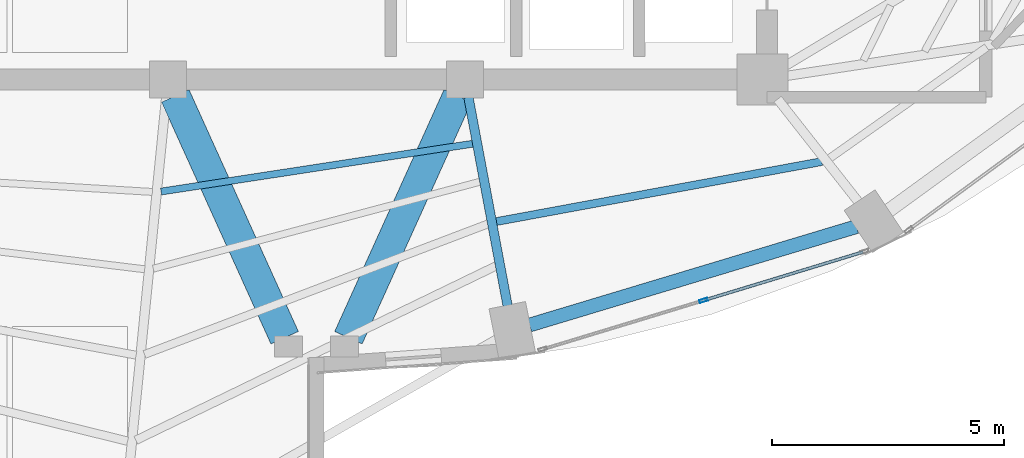
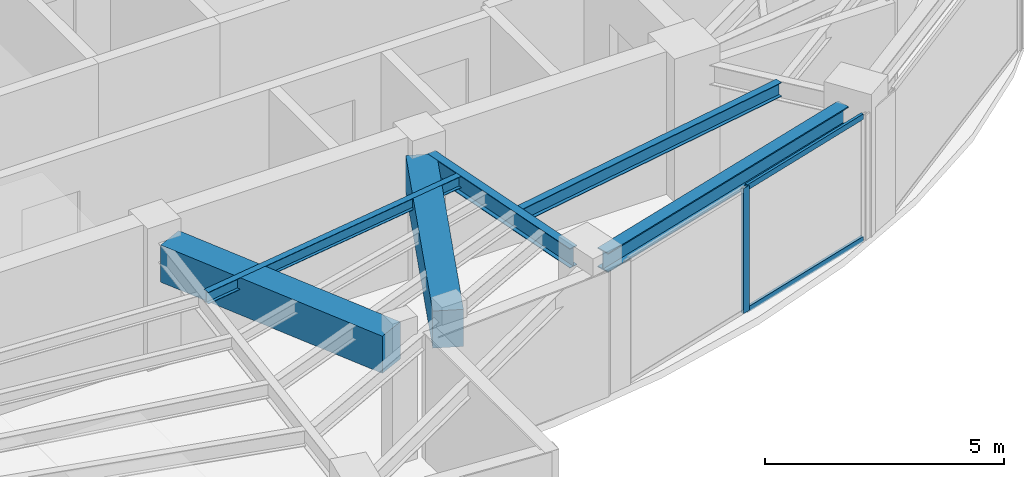
# One storey, part 7 of 22: 6 beams, 3 members, 1 element without a shape of its own.
"""IFC4 building model written with IfcOpenShell, lengths in metres."""

from ifc_helpers import new_model, si_unit, direction, frame, origin, origin_2d, place, context, subcontext, project, spatial, rectangle, hollow_rectangle, i_section, extrude, material, layer, layer_set, material_profile, profile_set, type_object, element, aggregate, save


model = new_model("IFC4")

# Units and contexts
model_context = context("Model", 3, precision=1e-05, world=origin(), true_north=direction((0.0, 1.0)))
body_context = subcontext(model_context, "Body", "Model", "MODEL_VIEW")
ifc_project = project(units=[si_unit("LENGTHUNIT", "METRE"), si_unit("AREAUNIT", "SQUARE_METRE"), si_unit("VOLUMEUNIT", "CUBIC_METRE"), si_unit("PLANEANGLEUNIT", "RADIAN"), si_unit("MASSUNIT", "GRAM", prefix="KILO")], contexts=[model_context])

# Site, building, storey
site_placement = place(None, origin())
site = spatial("IfcSite", under=ifc_project, at=site_placement, CompositionType="ELEMENT")
building_placement = place(site_placement, origin())
building = spatial("IfcBuilding", under=site, at=building_placement, Name="Lazwardi Medical Tower", CompositionType="ELEMENT")
storey_placement = place(building_placement, frame((0.0, 0.0, 242.256103515625)))
storey = spatial("IfcBuildingStorey", under=building, at=storey_placement, Name="L63", CompositionType="ELEMENT", Elevation=242.256103515625)

# Beams
ifc_material_1 = material(Name="Concrete C60/75", Category="concrete")
ifc_material_profile_1 = material_profile(ifc_material_1, rectangle(XDim=0.64990234375, YDim=0.949951171875, at=origin_2d()), Name="RC 650x950")
ifc_profile_set_1 = profile_set([ifc_material_profile_1], Name="Concrete C60/75")
beam_type_1 = type_object("IfcBeamType", Name="BM-CB-RC2", PredefinedType="LINTEL", material=ifc_profile_set_1)
for number, where, z_axis, x_axis, name in (
    (1, (32.95849609375, 20.04931640625, 2.722900390625), (0.412019279944, -0.911175127489, 0.0), (0.911175127489, 0.412019279944, 0.0), "Core coupling lintel CB-02 PL3 L63"),
    (2, (39.04150390625, 20.04931640625, 2.722900390625), (-0.412019279944, -0.911175127489, 0.0), (0.911175127489, -0.412019279944, 0.0), "Core coupling lintel CB-02 PL4 L63"),
):
    element("IfcBeam", number, at=place(storey_placement, frame(where, z_axis=z_axis, x_axis=x_axis)), inside=storey, type_object=beam_type_1, Name=name, PredefinedType="LINTEL", context=body_context, shape_type="SweptSolid", body=[
        extrude(rectangle(XDim=0.64990234375, YDim=0.949951171875, at=origin_2d()), origin(), (0.0, 0.0, 1.0), 5.7158203125),
    ])
ifc_material_2 = material(Name="Steel S355", Category="steel")
ifc_material_profile_2 = material_profile(ifc_material_2, i_section(OverallWidth=0.300048828125, OverallDepth=0.5, WebThickness=0.014404296875, FlangeThickness=0.028076171875, at=origin_2d()), Name="HEB 500")
ifc_profile_set_2 = profile_set([ifc_material_profile_2], Name="Steel S355")
beam_type_2 = type_object("IfcBeamType", Name="BM-RB-Z4", PredefinedType="BEAM", material=ifc_profile_set_2)
beam_1_placement = place(storey_placement, frame((40.58740234375, 15.114013671875, 2.947998046875), z_axis=(0.957544311906, 0.288286126506, 0.0), x_axis=(-0.288286126506, 0.957544311906, 0.0)))
element("IfcBeam", 3, at=beam_1_placement, inside=storey, type_object=beam_type_2, Name="Ring beam RB-05 B01 L63", PredefinedType="BEAM", context=body_context, shape_type="SweptSolid", body=[
    extrude(i_section(OverallWidth=0.300048828125, OverallDepth=0.5, WebThickness=0.014404296875, FlangeThickness=0.028076171875, at=origin_2d()), origin(), (0.0, 0.0, 1.0), 7.3515625),
])
ifc_material_profile_3 = material_profile(ifc_material_2, i_section(OverallWidth=0.199951171875, OverallDepth=0.5, WebThickness=0.01025390625, FlangeThickness=0.01611328125, at=origin_2d()), Name="IPE 500")
ifc_profile_set_3 = profile_set([ifc_material_profile_3], Name="Steel S355")
beam_type_3 = type_object("IfcBeamType", Name="BM-RG-W3", PredefinedType="BEAM", material=ifc_profile_set_3)
beam_2_placement = place(storey_placement, frame((40.115234375, 15.527587890625, 2.947998046875), z_axis=(-0.184633463507, 0.982807450192, 0.0), x_axis=(-0.982807450192, -0.184633463507, 0.0)))
element("IfcBeam", 4, at=beam_2_placement, inside=storey, type_object=beam_type_3, Name="Radial girder RG-04 R01 L63", PredefinedType="BEAM", context=body_context, shape_type="SweptSolid", body=[
    extrude(i_section(OverallWidth=0.199951171875, OverallDepth=0.5, WebThickness=0.01025390625, FlangeThickness=0.01611328125, at=origin_2d()), origin(), (0.0, 0.0, 1.0), 4.572509765625),
])
ifc_material_profile_4 = material_profile(ifc_material_2, i_section(OverallWidth=0.169921875, OverallDepth=0.360107421875, WebThickness=0.008056640625, FlangeThickness=0.0126953125, at=origin_2d()), Name="IPE 360")
ifc_profile_set_4 = profile_set([ifc_material_profile_4], Name="Steel S355")
beam_type_4 = type_object("IfcBeamType", Name="BM-SJ-02", PredefinedType="JOIST", material=ifc_profile_set_4)
beam_3_placement = place(storey_placement, frame((39.87109375, 17.34228515625, 3.017822265625), z_axis=(0.983427965623, 0.181299300688, 0.0), x_axis=(-0.181299300688, 0.983427965623, 0.0)))
element("IfcBeam", 5, at=beam_3_placement, inside=storey, type_object=beam_type_4, Name="Secondary joist SJ-02 R2 B01 L63", PredefinedType="JOIST", context=body_context, shape_type="SweptSolid", body=[
    extrude(i_section(OverallWidth=0.169921875, OverallDepth=0.360107421875, WebThickness=0.008056640625, FlangeThickness=0.0126953125, at=origin_2d()), origin(), (0.0, 0.0, 1.0), 7.127685546875),
])
ifc_material_profile_5 = material_profile(ifc_material_2, i_section(OverallWidth=0.14990234375, OverallDepth=0.300048828125, WebThickness=0.007080078125, FlangeThickness=0.0107421875, at=origin_2d()), Name="IPE 300")
ifc_profile_set_5 = profile_set([ifc_material_profile_5], Name="Steel S355")
beam_type_5 = type_object("IfcBeamType", Name="BM-SJ-03", PredefinedType="JOIST", material=ifc_profile_set_5)
beam_4_placement = place(storey_placement, frame((32.652587890625, 17.989013671875, 3.0478515625), z_axis=(0.988433562862, 0.151654514629, 0.0), x_axis=(-0.151654514629, 0.988433562862, 0.0)))
element("IfcBeam", 6, at=beam_4_placement, inside=storey, type_object=beam_type_5, Name="Secondary joist SJ-03 R4 B16 L63", PredefinedType="JOIST", context=body_context, shape_type="SweptSolid", body=[
    extrude(i_section(OverallWidth=0.14990234375, OverallDepth=0.300048828125, WebThickness=0.007080078125, FlangeThickness=0.0107421875, at=origin_2d()), origin(), (0.0, 0.0, 1.0), 6.788818359375),
])

# Curtain wall, members
ifc_material_3 = material(Name="Anodised bronze aluminium and solar control glazing", Category="aluminium")
ifc_layer = layer(ifc_material_3, 0.18994140625)
ifc_layer_set = layer_set([ifc_layer], Name="Anodised bronze aluminium and solar control glazing")
curtain_wall_type = type_object("IfcCurtainWallType", Name="CW-SYS-04", PredefinedType="NOTDEFINED", material=ifc_layer_set)
curtain_wall_placement = place(storey_placement, origin())
curtain_wall = element("IfcCurtainWall", 7, at=curtain_wall_placement, inside=storey, type_object=curtain_wall_type, Name="L63 Unitised bronze curtain wall CW-04", PredefinedType="NOTDEFINED")
ifc_material_4 = material(Name="Anodised bronze aluminium", Category="aluminium")
ifc_material_profile_6 = material_profile(ifc_material_4, hollow_rectangle(XDim=0.06494140625, YDim=0.179931640625, WallThickness=0.00390625, at=origin_2d()), Name="ALU-MULLION 180x65x4")
ifc_profile_set_6 = profile_set([ifc_material_profile_6], Name="Anodised bronze aluminium")
member_type_1 = type_object("IfcMemberType", Name="CW-MUL-03", PredefinedType="MULLION", material=ifc_profile_set_6)
member_1_placement = place(storey_placement, frame((44.33642578125, 15.644775390625, 0.0), z_axis=(0.0, 0.0, 1.0), x_axis=(-0.290581889515, 0.956850126972, 0.0)))
member_1 = element("IfcMember", 8, at=member_1_placement, type_object=member_type_1, Name="CW-04 mullion 2", PredefinedType="MULLION", context=body_context, shape_type="SweptSolid", body=[
    extrude(hollow_rectangle(XDim=0.06494140625, YDim=0.179931640625, WallThickness=0.00390625, at=origin_2d()), origin(), (0.0, 0.0, 1.0), 3.197998046875),
])
ifc_material_profile_7 = material_profile(ifc_material_4, hollow_rectangle(XDim=0.06494140625, YDim=0.139892578125, WallThickness=0.00341796875, at=origin_2d()), Name="ALU-TRANSOM 140x65x3.5")
ifc_profile_set_7 = profile_set([ifc_material_profile_7], Name="Anodised bronze aluminium")
member_type_2 = type_object("IfcMemberType", Name="CW-TRN-03", PredefinedType="USERDEFINED", material=ifc_profile_set_7)
member_2_placement = place(storey_placement, frame((44.367431640625, 15.654052734375, 0.032470703125), z_axis=(0.956843409009, 0.290604010015, 0.0), x_axis=(-0.290604010015, 0.956843409009, 0.0)))
member_2 = element("IfcMember", 9, at=member_2_placement, type_object=member_type_2, Name="CW-04 transom 2.1", ObjectType="TRANSOM", PredefinedType="USERDEFINED", context=body_context, shape_type="SweptSolid", body=[
    extrude(hollow_rectangle(XDim=0.06494140625, YDim=0.139892578125, WallThickness=0.00341796875, at=origin_2d()), origin(), (0.0, 0.0, 1.0), 3.554443359375),
])
member_3_placement = place(storey_placement, frame((44.367431640625, 15.654052734375, 3.165283203125), z_axis=(0.956843409009, 0.290604010015, 0.0), x_axis=(-0.290604010015, 0.956843409009, 0.0)))
member_3 = element("IfcMember", 10, at=member_3_placement, type_object=member_type_2, Name="CW-04 transom 2.2", ObjectType="TRANSOM", PredefinedType="USERDEFINED", context=body_context, shape_type="SweptSolid", body=[
    extrude(hollow_rectangle(XDim=0.06494140625, YDim=0.139892578125, WallThickness=0.00341796875, at=origin_2d()), origin(), (0.0, 0.0, 1.0), 3.554443359375),
])
aggregate(curtain_wall, [member_1, member_2, member_3])

save(model, "model.ifc")
